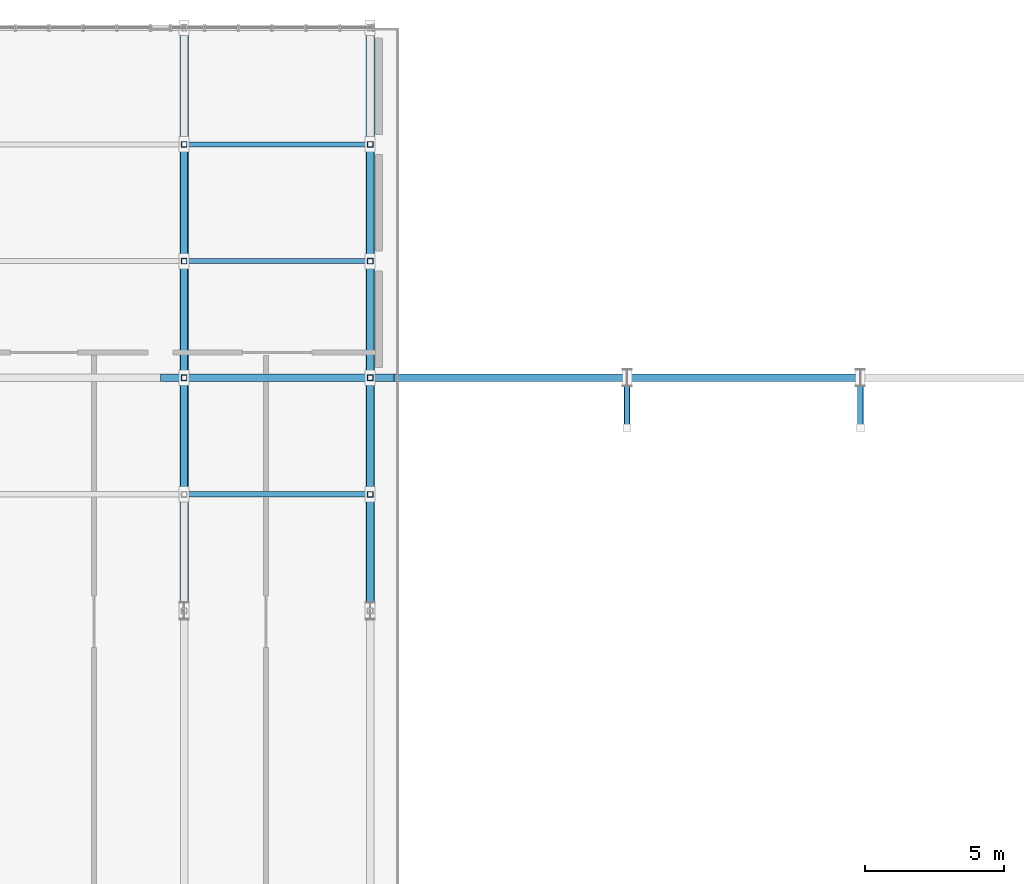
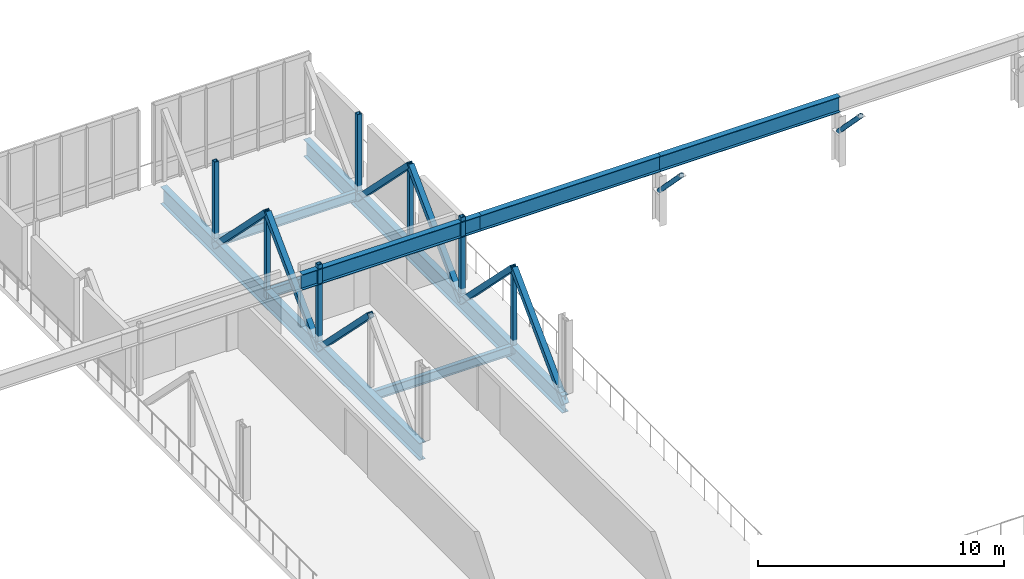
# One storey, part 57 of 107: 16 members, 8 beams.
"""IFC4 building model written with IfcOpenShell, lengths in metres."""

from ifc_helpers import new_model, si_unit, derived_unit, direction, frame, origin, origin_2d, place, context, subcontext, project, spatial, hollow_rectangle, hollow_circle, i_section, extrude, material, material_profile, profile_set, type_object, element, save


model = new_model("IFC4")

# Units and contexts
model_context = context("Model", 3, precision=1e-05, world=origin(), true_north=direction((0.0, 1.0)))
body_context = subcontext(model_context, "Body", "Model", "MODEL_VIEW")
ifc_project = project(units=[si_unit("LENGTHUNIT", "METRE"), si_unit("AREAUNIT", "SQUARE_METRE"), si_unit("VOLUMEUNIT", "CUBIC_METRE"), si_unit("PLANEANGLEUNIT", "RADIAN"), si_unit("MASSUNIT", "GRAM", prefix="KILO"), derived_unit("THERMALTRANSMITTANCEUNIT", [(si_unit("MASSUNIT", "GRAM", prefix="KILO"), 1), (si_unit("TIMEUNIT", "SECOND"), -3), (si_unit("THERMODYNAMICTEMPERATUREUNIT", "KELVIN"), -1)])], contexts=[model_context])

# Site, building, storey
site_placement = place(None, origin())
site = spatial("IfcSite", under=ifc_project, at=site_placement, CompositionType="ELEMENT")
building_placement = place(site_placement, origin())
building = spatial("IfcBuilding", under=site, at=building_placement, Name="Makaiwela Harbour Ferry Terminal", CompositionType="ELEMENT")
storey_placement = place(building_placement, frame((0.0, 0.0, 9.60009765625)))
storey = spatial("IfcBuildingStorey", under=building, at=storey_placement, Name="L02", CompositionType="ELEMENT", Elevation=9.60009765625)

# Members
ifc_material_1 = material(Name="Steel ASTM A500 Grade C", Category="steel")
ifc_material_profile_1 = material_profile(ifc_material_1, hollow_rectangle(XDim=0.25390625, YDim=0.25390625, WallThickness=0.0146484375, at=origin_2d()), Name="HSS10X10X5/8")
ifc_profile_set_1 = profile_set([ifc_material_profile_1], Name="Steel ASTM A500 Grade C")
member_type_1 = type_object("IfcMemberType", Name="STR-BRC-HSS10", PredefinedType="BRACE", material=ifc_profile_set_1)
for number, where, z_axis, x_axis, name in (
    (1, (97.449951171875, 99.199951171875, 3.534423828125), (0.0, 0.705423542875, -0.708786022124), (-1.0, 0.0, 0.0), "Structural Member BR-01"),
    (2, (97.449951171875, 103.39990234375, -0.685546875), (0.0, 0.7054441424, 0.708765519727), (-1.0, 0.0, 0.0), "Structural Member BR-01"),
    (3, (97.449951171875, 107.60009765625, 3.534423828125), (0.0, 0.705423542875, -0.708786022124), (-1.0, 0.0, 0.0), "Structural Member BR-01"),
    (4, (104.14990234375, 95.0, -0.685546875), (0.0, 0.705423542875, 0.708786022124), (-1.0, 0.0, 0.0), "Structural Member BR-01"),
    (5, (104.14990234375, 99.199951171875, 3.534423828125), (0.0, 0.705423542875, -0.708786022124), (-1.0, 0.0, 0.0), "Structural Member BR-01"),
    (6, (104.14990234375, 103.39990234375, -0.685546875), (0.0, 0.7054441424, 0.708765519727), (-1.0, 0.0, 0.0), "Structural Member BR-01"),
    (7, (104.14990234375, 107.60009765625, 3.534423828125), (0.0, 0.705423542875, -0.708786022124), (-1.0, 0.0, 0.0), "Structural Member BR-01"),
):
    element("IfcMember", number, at=place(storey_placement, frame(where, z_axis=z_axis, x_axis=x_axis)), inside=storey, type_object=member_type_1, Name=name, PredefinedType="BRACE", context=body_context, shape_type="SweptSolid", body=[
        extrude(hollow_rectangle(XDim=0.25390625, YDim=0.25390625, WallThickness=0.0146484375, at=origin_2d()), origin(), (0.0, 0.0, 1.0), 5.953857421875),
    ])

# Beams
ifc_material_2 = material(Name="Steel ASTM A992 Grade 50", Category="steel")
ifc_material_profile_2 = material_profile(ifc_material_2, i_section(OverallWidth=0.26806640625, OverallDepth=0.77001953125, WebThickness=0.015625, FlangeThickness=0.025390625, at=origin_2d()), Name="W30X132")
ifc_profile_set_2 = profile_set([ifc_material_profile_2], Name="Steel ASTM A992 Grade 50")
beam_type_1 = type_object("IfcBeamType", Name="STR-GRD-W30X132", PredefinedType="USERDEFINED", material=ifc_profile_set_2)
for number, where, z_axis, x_axis, name in (
    (8, (96.60009765625, 103.39990234375, 2.949951171875), (1.0, 0.0, 0.0), (0.0, 1.0, 0.0), "Vault springing tie girder M-5"),
    (9, (105.0, 103.39990234375, 2.949951171875), (1.0, 0.0, 0.0), (0.0, 1.0, 0.0), "Vault springing tie girder M-6"),
):
    element("IfcBeam", number, at=place(storey_placement, frame(where, z_axis=z_axis, x_axis=x_axis)), inside=storey, type_object=beam_type_1, Name=name, ObjectType="GIRDER", PredefinedType="USERDEFINED", context=body_context, shape_type="SweptSolid", body=[
        extrude(i_section(OverallWidth=0.26806640625, OverallDepth=0.77001953125, WebThickness=0.015625, FlangeThickness=0.025390625, at=origin_2d()), origin(), (0.0, 0.0, 1.0), 8.39990234375),
    ])
beam_placement = place(storey_placement, frame((113.39990234375, 103.39990234375, 2.949951171875), z_axis=(1.0, 0.0, 0.0), x_axis=(0.0, 1.0, 0.0)))
element("IfcBeam", 10, at=beam_placement, inside=storey, type_object=beam_type_1, Name="Vault springing tie girder M-7", ObjectType="GIRDER", PredefinedType="USERDEFINED", context=body_context, shape_type="SweptSolid", body=[
    extrude(i_section(OverallWidth=0.26806640625, OverallDepth=0.77001953125, WebThickness=0.015625, FlangeThickness=0.025390625, at=origin_2d()), origin(), (0.0, 0.0, 1.0), 8.400146484375),
])
ifc_material_profile_3 = material_profile(ifc_material_2, i_section(OverallWidth=0.2939453125, OverallDepth=0.85107421875, WebThickness=0.01611328125, FlangeThickness=0.02685546875, at=origin_2d()), Name="W33X152")
ifc_profile_set_3 = profile_set([ifc_material_profile_3], Name="Steel ASTM A992 Grade 50")
beam_type_2 = type_object("IfcBeamType", Name="STR-GRD-W33X152", PredefinedType="USERDEFINED", material=ifc_profile_set_3)
for number, where, z_axis, x_axis, name in (
    (11, (97.449951171875, 95.0, -0.685546875), (0.0, 1.0, 0.0), (-1.0, 0.0, 0.0), "North bridge truss middle chord 2"),
    (12, (104.14990234375, 95.0, -0.685546875), (0.0, 1.0, 0.0), (-1.0, 0.0, 0.0), "North bridge truss middle chord 3"),
):
    element("IfcBeam", number, at=place(storey_placement, frame(where, z_axis=z_axis, x_axis=x_axis)), inside=storey, type_object=beam_type_2, Name=name, ObjectType="GIRDER", PredefinedType="USERDEFINED", context=body_context, shape_type="SweptSolid", body=[
        extrude(i_section(OverallWidth=0.2939453125, OverallDepth=0.85107421875, WebThickness=0.01611328125, FlangeThickness=0.02685546875, at=origin_2d()), origin(), (0.0, 0.0, 1.0), 21.0),
    ])
ifc_material_profile_4 = material_profile(ifc_material_2, i_section(OverallWidth=0.18994140625, OverallDepth=0.45703125, WebThickness=0.009033203125, FlangeThickness=0.014404296875, at=origin_2d()), Name="W18X50")
ifc_profile_set_4 = profile_set([ifc_material_profile_4], Name="Steel ASTM A992 Grade 50")
beam_type_3 = type_object("IfcBeamType", Name="STR-JST-W18X50", PredefinedType="JOIST", material=ifc_profile_set_4)
for number, where, z_axis, x_axis, name in (
    (13, (97.591064453125, 99.199951171875, -0.488525390625), (1.0, 0.0, 0.0), (0.0, 1.0, 0.0), "Structural Beam J-01"),
    (14, (97.591064453125, 107.60009765625, -0.488525390625), (1.0, 0.0, 0.0), (0.0, 1.0, 0.0), "Structural Beam J-01"),
    (15, (97.591064453125, 111.800048828125, -0.488525390625), (1.0, 0.0, 0.0), (0.0, 1.0, 0.0), "Structural Beam J-01"),
):
    element("IfcBeam", number, at=place(storey_placement, frame(where, z_axis=z_axis, x_axis=x_axis)), inside=storey, type_object=beam_type_3, Name=name, PredefinedType="JOIST", context=body_context, shape_type="SweptSolid", body=[
        extrude(i_section(OverallWidth=0.18994140625, OverallDepth=0.45703125, WebThickness=0.009033203125, FlangeThickness=0.014404296875, at=origin_2d()), origin(), (0.0, 0.0, 1.0), 6.41796875),
    ])

# Members
ifc_material_profile_5 = material_profile(ifc_material_1, hollow_rectangle(XDim=0.202880859375, YDim=0.202880859375, WallThickness=0.01171875, at=origin_2d()), Name="HSS8X8X1/2")
ifc_profile_set_5 = profile_set([ifc_material_profile_5], Name="Steel ASTM A500 Grade C")
member_type_2 = type_object("IfcMemberType", Name="STR-PST-HSS8", PredefinedType="POST", material=ifc_profile_set_5)
for number, where, z_axis, x_axis, name in (
    (16, (97.449951171875, 103.39990234375, -0.685546875), (0.0, 0.0, 1.0), (1.0, 0.0, 0.0), "Structural Member PS-01"),
    (17, (97.449951171875, 107.60009765625, -0.685546875), (0.0, 0.0, 1.0), (1.0, 0.0, 0.0), "Structural Member PS-01"),
    (18, (97.449951171875, 111.800048828125, -0.685546875), (0.0, 0.0, 1.0), (1.0, 0.0, 0.0), "Structural Member PS-01"),
    (19, (104.14990234375, 99.199951171875, -0.685546875), (0.0, 0.0, 1.0), (1.0, 0.0, 0.0), "Structural Member PS-01"),
    (20, (104.14990234375, 103.39990234375, -0.685546875), (0.0, 0.0, 1.0), (1.0, 0.0, 0.0), "Structural Member PS-01"),
    (21, (104.14990234375, 107.60009765625, -0.685546875), (0.0, 0.0, 1.0), (1.0, 0.0, 0.0), "Structural Member PS-01"),
    (22, (104.14990234375, 111.800048828125, -0.685546875), (0.0, 0.0, 1.0), (1.0, 0.0, 0.0), "Structural Member PS-01"),
):
    element("IfcMember", number, at=place(storey_placement, frame(where, z_axis=z_axis, x_axis=x_axis)), inside=storey, type_object=member_type_2, Name=name, PredefinedType="POST", context=body_context, shape_type="SweptSolid", body=[
        extrude(hollow_rectangle(XDim=0.202880859375, YDim=0.202880859375, WallThickness=0.01171875, at=origin_2d()), origin(), (0.0, 0.0, 1.0), 4.219970703125),
    ])
ifc_material_profile_6 = material_profile(ifc_material_1, hollow_circle(Radius=0.109619140625, WallThickness=0.00830078125, at=origin_2d()), Name="PIPE8STD")
ifc_profile_set_6 = profile_set([ifc_material_profile_6], Name="Steel ASTM A500 Grade C")
member_type_3 = type_object("IfcMemberType", Name="STR-STT-PIPE8", PredefinedType="STRUT", material=ifc_profile_set_6)
for number, where, z_axis, x_axis, name in (
    (23, (113.39990234375, 103.39990234375, 1.5498046875), (0.0, -0.697060839799, 0.717011984292), (1.0, 0.0, 0.0), "Structural Member SR-02"),
    (24, (121.800048828125, 103.39990234375, 1.5498046875), (0.0, -0.697060839799, 0.717011984292), (1.0, 0.0, 0.0), "Structural Member SR-02"),
):
    element("IfcMember", number, at=place(storey_placement, frame(where, z_axis=z_axis, x_axis=x_axis)), inside=storey, type_object=member_type_3, Name=name, PredefinedType="STRUT", context=body_context, shape_type="SweptSolid", body=[
        extrude(hollow_circle(Radius=0.109619140625, WallThickness=0.00830078125, at=origin_2d()), origin(), (0.0, 0.0, 1.0), 2.58203125),
    ])

save(model, "model.ifc")
